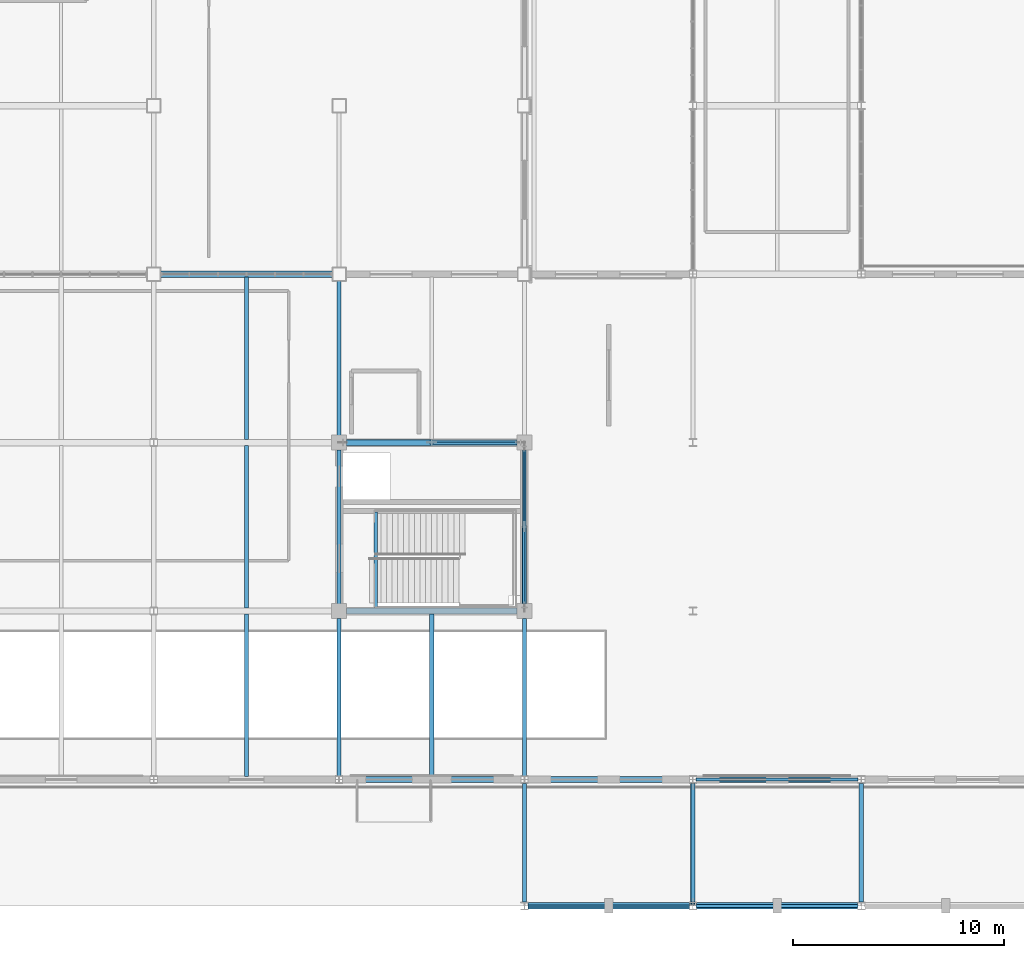
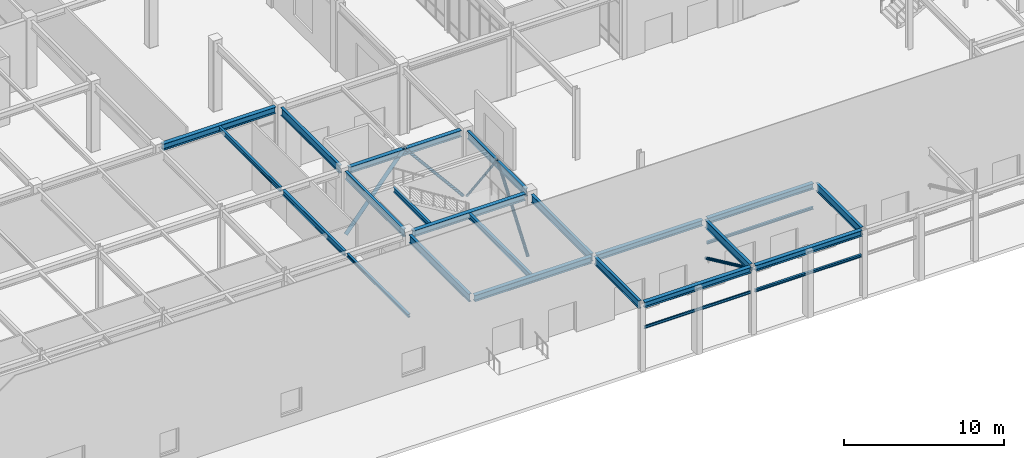
# One storey, part 23 of 119: 24 beams, 5 members.
"""IFC4 building model written with IfcOpenShell, lengths in metres."""

from ifc_helpers import new_model, si_unit, direction, frame, origin, origin_2d, place, context, subcontext, project, spatial, hollow_circle, i_section, extrude, material, material_profile, profile_set, type_object, element, save


model = new_model("IFC4")

# Units and contexts
model_context = context("Model", 3, precision=1e-05, world=origin(), true_north=direction((0.0, 1.0)))
body_context = subcontext(model_context, "Body", "Model", "MODEL_VIEW")
ifc_project = project(units=[si_unit("LENGTHUNIT", "METRE"), si_unit("AREAUNIT", "SQUARE_METRE"), si_unit("VOLUMEUNIT", "CUBIC_METRE"), si_unit("PLANEANGLEUNIT", "RADIAN"), si_unit("MASSUNIT", "GRAM", prefix="KILO")], contexts=[model_context])

# Site, building, storey
site_placement = place(None, origin())
site = spatial("IfcSite", under=ifc_project, at=site_placement, CompositionType="ELEMENT")
building_placement = place(site_placement, origin())
building = spatial("IfcBuilding", under=site, at=building_placement, Name="Zhaolan Boulevard Law Courts", CompositionType="ELEMENT")
storey_placement = place(building_placement, origin())
storey = spatial("IfcBuildingStorey", under=building, at=storey_placement, Name="L00", CompositionType="ELEMENT", Elevation=0.0)

# Members
ifc_material_1 = material(Name="Structural steel Q355B", Category="steel")
ifc_material_profile_1 = material_profile(ifc_material_1, hollow_circle(Radius=0.109619140625, WallThickness=0.008056640625, at=origin_2d()), Name="CHS219x8")
ifc_profile_set_1 = profile_set([ifc_material_profile_1], Name="Structural steel Q355B")
member_type_1 = type_object("IfcMemberType", Name="BRACE CHS219", PredefinedType="BRACE", material=ifc_profile_set_1)
member_1_placement = place(storey_placement, frame((52.0, 5.820068359375, 2.199951171875), z_axis=(0.0, -0.907066548999, 0.420987263094), x_axis=(1.0, 0.0, 0.0)))
element("IfcMember", 1, at=member_1_placement, inside=storey, type_object=member_type_1, Name="Canopy Raking Brace CT-7", PredefinedType="BRACE", context=body_context, shape_type="SweptSolid", body=[
    extrude(hollow_circle(Radius=0.109619140625, WallThickness=0.008056640625, at=origin_2d()), origin(), (0.0, 0.0, 1.0), 6.361083984375),
])
member_2_placement = place(storey_placement, frame((43.820068359375, 22.0, 0.030029296875), z_axis=(-0.638239277889, 0.0, 0.769838050605), x_axis=(0.0, -1.0, 0.0)))
element("IfcMember", 2, at=member_2_placement, inside=storey, type_object=member_type_1, Name="Core Brace BR-P1-L00-N2", PredefinedType="BRACE", context=body_context, shape_type="SweptSolid", body=[
    extrude(hollow_circle(Radius=0.109619140625, WallThickness=0.008056640625, at=origin_2d()), origin(), (0.0, 0.0, 1.0), 6.61181640625),
])
member_3_placement = place(storey_placement, frame((44.0, 14.179931640625, 0.030029296875), z_axis=(0.0, 0.600251625626, 0.799811218935), x_axis=(-1.0, 0.0, 0.0)))
element("IfcMember", 3, at=member_3_placement, inside=storey, type_object=member_type_1, Name="Core Brace BR-P1-L00-E1", PredefinedType="BRACE", context=body_context, shape_type="SweptSolid", body=[
    extrude(hollow_circle(Radius=0.109619140625, WallThickness=0.008056640625, at=origin_2d()), origin(), (0.0, 0.0, 1.0), 6.364013671875),
])
ifc_material_2 = material(Name="Structural steel Q355B", Category="steel")
ifc_material_profile_2 = material_profile(ifc_material_2, hollow_circle(Radius=0.136474609375, WallThickness=0.010009765625, at=origin_2d()), Name="CHS273x10")
ifc_profile_set_2 = profile_set([ifc_material_profile_2], Name="Structural steel Q355B")
member_type_2 = type_object("IfcMemberType", Name="BRACE CHS273", PredefinedType="BRACE", material=ifc_profile_set_2)
member_4_placement = place(storey_placement, frame((35.3798828125, 22.0, 0.030029296875), z_axis=(0.638261160419, 0.0, 0.769819908225), x_axis=(0.0, 1.0, 0.0)))
element("IfcMember", 4, at=member_4_placement, inside=storey, type_object=member_type_2, Name="Core Brace BR-P1-L00-N1", PredefinedType="BRACE", context=body_context, shape_type="SweptSolid", body=[
    extrude(hollow_circle(Radius=0.136474609375, WallThickness=0.010009765625, at=origin_2d()), origin(), (0.0, 0.0, 1.0), 6.612060546875),
])

# Beams
ifc_material_3 = material(Name="Structural steel Q390B", Category="steel")
ifc_material_profile_3 = material_profile(ifc_material_3, i_section(OverallWidth=0.199951171875, OverallDepth=0.60009765625, WebThickness=0.010986328125, FlangeThickness=0.01708984375, FilletRadius=0.02001953125, at=origin_2d()), Name="HN600x200")
ifc_profile_set_3 = profile_set([ifc_material_profile_3], Name="Structural steel Q390B")
beam_type_1 = type_object("IfcBeamType", Name="CANTILEVER HN600", PredefinedType="BEAM", material=ifc_profile_set_3)
for number, where, z_axis, x_axis, name in (
    (5, (44.0, 0.179931640625, 4.8779296875), (0.0, 1.0, 0.0), (-1.0, 0.0, 0.0), "Canopy Girder CB-6"),
    (6, (52.0, 0.179931640625, 4.8779296875), (0.0, 1.0, 0.0), (-1.0, 0.0, 0.0), "Canopy Girder CB-7"),
    (7, (60.0, 0.179931640625, 4.8779296875), (0.0, 1.0, 0.0), (-1.0, 0.0, 0.0), "Canopy Girder CB-8"),
):
    element("IfcBeam", number, at=place(storey_placement, frame(where, z_axis=z_axis, x_axis=x_axis)), inside=storey, type_object=beam_type_1, Name=name, PredefinedType="BEAM", context=body_context, shape_type="SweptSolid", body=[
        extrude(i_section(OverallWidth=0.199951171875, OverallDepth=0.60009765625, WebThickness=0.010986328125, FlangeThickness=0.01708984375, FilletRadius=0.02001953125, at=origin_2d()), origin(), (0.0, 0.0, 1.0), 5.64013671875),
    ])
ifc_material_4 = material(Name="Structural steel Q355B", Category="steel")
ifc_material_profile_4 = material_profile(ifc_material_4, i_section(OverallWidth=0.300048828125, OverallDepth=0.43994140625, WebThickness=0.010986328125, FlangeThickness=0.01806640625, FilletRadius=0.02001953125, at=origin_2d()), Name="HM440x300")
ifc_profile_set_4 = profile_set([ifc_material_profile_4], Name="Structural steel Q355B")
beam_type_2 = type_object("IfcBeamType", Name="GIRDER HM440", PredefinedType="BEAM", material=ifc_profile_set_4)
for number, where, z_axis, x_axis, name in (
    (8, (44.1708984375, 0.0, 4.9580078125), (1.0, 0.0, 0.0), (0.0, 1.0, 0.0), "Beam BX-L01-6-7-A"),
    (9, (52.1708984375, 0.0, 4.9580078125), (1.0, 0.0, 0.0), (0.0, 1.0, 0.0), "Beam BX-L01-7-8-A"),
    (10, (44.1708984375, 6.0, 4.91796875), (1.0, 0.0, 0.0), (0.0, 1.0, 0.0), "Beam BX-L01-6-7-B"),
    (11, (52.1708984375, 6.0, 4.91796875), (1.0, 0.0, 0.0), (0.0, 1.0, 0.0), "Beam BX-L01-7-8-B"),
):
    element("IfcBeam", number, at=place(storey_placement, frame(where, z_axis=z_axis, x_axis=x_axis)), inside=storey, type_object=beam_type_2, Name=name, PredefinedType="BEAM", context=body_context, shape_type="SweptSolid", body=[
        extrude(i_section(OverallWidth=0.300048828125, OverallDepth=0.43994140625, WebThickness=0.010986328125, FlangeThickness=0.01806640625, FilletRadius=0.02001953125, at=origin_2d()), origin(), (0.0, 0.0, 1.0), 7.658203125),
    ])
ifc_material_5 = material(Name="Structural steel Q355B", Category="steel")
ifc_material_profile_5 = material_profile(ifc_material_5, i_section(OverallWidth=0.300048828125, OverallDepth=0.488037109375, WebThickness=0.010986328125, FlangeThickness=0.01806640625, FilletRadius=0.02197265625, at=origin_2d()), Name="HM488x300")
ifc_profile_set_5 = profile_set([ifc_material_profile_5], Name="Structural steel Q355B")
beam_type_3 = type_object("IfcBeamType", Name="GIRDER HM500", PredefinedType="BEAM", material=ifc_profile_set_5)
beam_1_placement = place(storey_placement, frame((35.37109375, 6.0, 4.89404296875), z_axis=(1.0, 0.0, 0.0), x_axis=(0.0, 1.0, 0.0)))
element("IfcBeam", 12, at=beam_1_placement, inside=storey, type_object=beam_type_3, Name="Beam BX-L01-5-6-B", PredefinedType="BEAM", context=body_context, shape_type="SweptSolid", body=[
    extrude(i_section(OverallWidth=0.300048828125, OverallDepth=0.488037109375, WebThickness=0.010986328125, FlangeThickness=0.01806640625, FilletRadius=0.02197265625, at=origin_2d()), origin(), (0.0, 0.0, 1.0), 8.4580078125),
])
for number, where, z_axis, x_axis, name in (
    (13, (35.5458984375, 14.0, 4.89404296875), (1.0, 0.0, 0.0), (0.0, 1.0, 0.0), "Beam BX-L01-5-6-C"),
    (14, (35.5458984375, 22.0, 4.89404296875), (1.0, 0.0, 0.0), (0.0, 1.0, 0.0), "Beam BX-L01-5-6-D"),
):
    element("IfcBeam", number, at=place(storey_placement, frame(where, z_axis=z_axis, x_axis=x_axis)), inside=storey, type_object=beam_type_3, Name=name, PredefinedType="BEAM", context=body_context, shape_type="SweptSolid", body=[
        extrude(i_section(OverallWidth=0.300048828125, OverallDepth=0.488037109375, WebThickness=0.010986328125, FlangeThickness=0.01806640625, FilletRadius=0.02197265625, at=origin_2d()), origin(), (0.0, 0.0, 1.0), 8.108154296875),
    ])
beam_2_placement = place(storey_placement, frame((26.720947265625, 30.0, 4.89404296875), z_axis=(1.0, 0.0, 0.0), x_axis=(0.0, 1.0, 0.0)))
element("IfcBeam", 15, at=beam_2_placement, inside=storey, type_object=beam_type_3, Name="Beam BX-L01-4-5-E", PredefinedType="BEAM", context=body_context, shape_type="SweptSolid", body=[
    extrude(i_section(OverallWidth=0.300048828125, OverallDepth=0.488037109375, WebThickness=0.010986328125, FlangeThickness=0.01806640625, FilletRadius=0.02197265625, at=origin_2d()), origin(), (0.0, 0.0, 1.0), 8.157958984375),
])
ifc_material_6 = material(Name="Structural steel Q355B", Category="steel")
ifc_material_profile_6 = material_profile(ifc_material_6, i_section(OverallWidth=0.199951171875, OverallDepth=0.60009765625, WebThickness=0.010986328125, FlangeThickness=0.01708984375, FilletRadius=0.02001953125, at=origin_2d()), Name="HN600x200")
ifc_profile_set_6 = profile_set([ifc_material_profile_6], Name="Structural steel Q355B")
beam_type_4 = type_object("IfcBeamType", Name="GIRDER HN600", PredefinedType="BEAM", material=ifc_profile_set_6)
beam_3_placement = place(storey_placement, frame((35.199951171875, 6.1708984375, 4.837890625), z_axis=(0.0, 1.0, 0.0), x_axis=(-1.0, 0.0, 0.0)))
element("IfcBeam", 16, at=beam_3_placement, inside=storey, type_object=beam_type_4, Name="Beam BY-L01-5-B-C", PredefinedType="BEAM", context=body_context, shape_type="SweptSolid", body=[
    extrude(i_section(OverallWidth=0.199951171875, OverallDepth=0.60009765625, WebThickness=0.010986328125, FlangeThickness=0.01708984375, FilletRadius=0.02001953125, at=origin_2d()), origin(), (0.0, 0.0, 1.0), 7.483154296875),
])
beam_4_placement = place(storey_placement, frame((35.199951171875, 14.345947265625, 4.837890625), z_axis=(0.0, 1.0, 0.0), x_axis=(-1.0, 0.0, 0.0)))
element("IfcBeam", 17, at=beam_4_placement, inside=storey, type_object=beam_type_4, Name="Beam BY-L01-5-C-D", PredefinedType="BEAM", context=body_context, shape_type="SweptSolid", body=[
    extrude(i_section(OverallWidth=0.199951171875, OverallDepth=0.60009765625, WebThickness=0.010986328125, FlangeThickness=0.01708984375, FilletRadius=0.02001953125, at=origin_2d()), origin(), (0.0, 0.0, 1.0), 7.30810546875),
])
beam_5_placement = place(storey_placement, frame((35.199951171875, 22.345947265625, 4.837890625), z_axis=(0.0, 1.0, 0.0), x_axis=(-1.0, 0.0, 0.0)))
element("IfcBeam", 18, at=beam_5_placement, inside=storey, type_object=beam_type_4, Name="Beam BY-L01-5-D-E", PredefinedType="BEAM", context=body_context, shape_type="SweptSolid", body=[
    extrude(i_section(OverallWidth=0.199951171875, OverallDepth=0.60009765625, WebThickness=0.010986328125, FlangeThickness=0.01708984375, FilletRadius=0.02001953125, at=origin_2d()), origin(), (0.0, 0.0, 1.0), 7.3330078125),
])
beam_6_placement = place(storey_placement, frame((44.0, 6.1708984375, 4.837890625), z_axis=(0.0, 1.0, 0.0), x_axis=(-1.0, 0.0, 0.0)))
element("IfcBeam", 19, at=beam_6_placement, inside=storey, type_object=beam_type_4, Name="Beam BY-L01-6-B-C", PredefinedType="BEAM", context=body_context, shape_type="SweptSolid", body=[
    extrude(i_section(OverallWidth=0.199951171875, OverallDepth=0.60009765625, WebThickness=0.010986328125, FlangeThickness=0.01708984375, FilletRadius=0.02001953125, at=origin_2d()), origin(), (0.0, 0.0, 1.0), 7.483154296875),
])
beam_7_placement = place(storey_placement, frame((44.0, 14.345947265625, 4.837890625), z_axis=(0.0, 1.0, 0.0), x_axis=(-1.0, 0.0, 0.0)))
element("IfcBeam", 20, at=beam_7_placement, inside=storey, type_object=beam_type_4, Name="Beam BY-L01-6-C-D", PredefinedType="BEAM", context=body_context, shape_type="SweptSolid", body=[
    extrude(i_section(OverallWidth=0.199951171875, OverallDepth=0.60009765625, WebThickness=0.010986328125, FlangeThickness=0.01708984375, FilletRadius=0.02001953125, at=origin_2d()), origin(), (0.0, 0.0, 1.0), 7.30810546875),
])
ifc_material_7 = material(Name="Structural steel Q355B", Category="steel")
ifc_material_profile_7 = material_profile(ifc_material_7, i_section(OverallWidth=0.175048828125, OverallDepth=0.243896484375, WebThickness=0.007080078125, FlangeThickness=0.010986328125, FilletRadius=0.012939453125, at=origin_2d()), Name="HM244x175")
ifc_profile_set_7 = profile_set([ifc_material_profile_7], Name="Structural steel Q355B")
beam_type_5 = type_object("IfcBeamType", Name="JOIST HM244", PredefinedType="JOIST", material=ifc_profile_set_7)
beam_8_placement = place(storey_placement, frame((30.800048828125, 6.14599609375, 5.01611328125), z_axis=(0.0, 1.0, 0.0), x_axis=(-1.0, 0.0, 0.0)))
element("IfcBeam", 21, at=beam_8_placement, inside=storey, type_object=beam_type_5, Name="Composite Joist J-L01-4B", PredefinedType="JOIST", context=body_context, shape_type="SweptSolid", body=[
    extrude(i_section(OverallWidth=0.175048828125, OverallDepth=0.243896484375, WebThickness=0.007080078125, FlangeThickness=0.010986328125, FilletRadius=0.012939453125, at=origin_2d()), origin(), (0.0, 0.0, 1.0), 7.7080078125),
])
ifc_material_8 = material(Name="Structural steel Q355B", Category="steel")
ifc_material_profile_8 = material_profile(ifc_material_8, i_section(OverallWidth=0.175048828125, OverallDepth=0.35009765625, WebThickness=0.007080078125, FlangeThickness=0.010986328125, FilletRadius=0.012939453125, at=origin_2d()), Name="HN350x175")
ifc_profile_set_8 = profile_set([ifc_material_profile_8], Name="Structural steel Q355B")
beam_type_6 = type_object("IfcBeamType", Name="JOIST HN350", PredefinedType="JOIST", material=ifc_profile_set_8)
beam_9_placement = place(storey_placement, frame((30.800048828125, 22.14599609375, 4.962890625), z_axis=(0.0, 1.0, 0.0), x_axis=(-1.0, 0.0, 0.0)))
element("IfcBeam", 22, at=beam_9_placement, inside=storey, type_object=beam_type_6, Name="Composite Joist J-L01-4D", PredefinedType="JOIST", context=body_context, shape_type="SweptSolid", body=[
    extrude(i_section(OverallWidth=0.175048828125, OverallDepth=0.35009765625, WebThickness=0.007080078125, FlangeThickness=0.010986328125, FilletRadius=0.012939453125, at=origin_2d()), origin(), (0.0, 0.0, 1.0), 7.7080078125),
])
ifc_material_9 = material(Name="Structural steel Q355B", Category="steel")
ifc_material_profile_9 = material_profile(ifc_material_9, i_section(OverallWidth=0.199951171875, OverallDepth=0.39990234375, WebThickness=0.008056640625, FlangeThickness=0.012939453125, FilletRadius=0.013916015625, at=origin_2d()), Name="HN400x200")
ifc_profile_set_9 = profile_set([ifc_material_profile_9], Name="Structural steel Q355B")
beam_type_7 = type_object("IfcBeamType", Name="JOIST HN400", PredefinedType="JOIST", material=ifc_profile_set_9)
for number, where, z_axis, x_axis, name in (
    (23, (30.800048828125, 14.14599609375, 4.93798828125), (0.0, 1.0, 0.0), (-1.0, 0.0, 0.0), "Composite Joist J-L01-4C"),
    (24, (39.60009765625, 6.14599609375, 4.93798828125), (0.0, 1.0, 0.0), (-1.0, 0.0, 0.0), "Composite Joist J-L01-5B"),
):
    element("IfcBeam", number, at=place(storey_placement, frame(where, z_axis=z_axis, x_axis=x_axis)), inside=storey, type_object=beam_type_7, Name=name, PredefinedType="JOIST", context=body_context, shape_type="SweptSolid", body=[
        extrude(i_section(OverallWidth=0.199951171875, OverallDepth=0.39990234375, WebThickness=0.008056640625, FlangeThickness=0.012939453125, FilletRadius=0.013916015625, at=origin_2d()), origin(), (0.0, 0.0, 1.0), 7.7080078125),
    ])
ifc_material_10 = material(Name="Structural steel Q355B", Category="steel")
ifc_material_profile_10 = material_profile(ifc_material_10, i_section(OverallWidth=0.14990234375, OverallDepth=0.194091796875, WebThickness=0.006103515625, FlangeThickness=0.009033203125, FilletRadius=0.010986328125, at=origin_2d()), Name="HM194x150")
ifc_profile_set_10 = profile_set([ifc_material_profile_10], Name="Structural steel Q355B")
beam_type_8 = type_object("IfcBeamType", Name="LINTEL HM194", PredefinedType="LINTEL", material=ifc_profile_set_10)
for number, where, z_axis, x_axis, name in (
    (25, (52.159912109375, 0.0, 3.199951171875), (1.0, 0.0, 0.0), (0.0, 1.0, 0.0), "Portal Lintel LN-L00-02"),
    (26, (52.159912109375, 6.0, 3.199951171875), (1.0, 0.0, 0.0), (0.0, 1.0, 0.0), "Portal Lintel LN-L00-08"),
):
    element("IfcBeam", number, at=place(storey_placement, frame(where, z_axis=z_axis, x_axis=x_axis)), inside=storey, type_object=beam_type_8, Name=name, PredefinedType="LINTEL", context=body_context, shape_type="SweptSolid", body=[
        extrude(i_section(OverallWidth=0.14990234375, OverallDepth=0.194091796875, WebThickness=0.006103515625, FlangeThickness=0.009033203125, FilletRadius=0.010986328125, at=origin_2d()), origin(), (0.0, 0.0, 1.0), 7.68017578125),
    ])
ifc_material_11 = material(Name="Structural steel Q355B", Category="steel")
ifc_material_profile_11 = material_profile(ifc_material_11, i_section(OverallWidth=0.10009765625, OverallDepth=0.199951171875, WebThickness=0.005615234375, FlangeThickness=0.008056640625, FilletRadius=0.009033203125, at=origin_2d()), Name="HN200x100")
ifc_profile_set_11 = profile_set([ifc_material_profile_11], Name="Structural steel Q355B")
beam_type_9 = type_object("IfcBeamType", Name="LINTEL HN200", PredefinedType="LINTEL", material=ifc_profile_set_11)
beam_10_placement = place(storey_placement, frame((44.159912109375, 0.0, 3.199951171875), z_axis=(1.0, 0.0, 0.0), x_axis=(0.0, 1.0, 0.0)))
element("IfcBeam", 27, at=beam_10_placement, inside=storey, type_object=beam_type_9, Name="Portal Lintel LN-L00-01", PredefinedType="LINTEL", context=body_context, shape_type="SweptSolid", body=[
    extrude(i_section(OverallWidth=0.10009765625, OverallDepth=0.199951171875, WebThickness=0.005615234375, FlangeThickness=0.008056640625, FilletRadius=0.009033203125, at=origin_2d()), origin(), (0.0, 0.0, 1.0), 7.68017578125),
])
ifc_material_12 = material(Name="Structural steel Q355B", Category="steel")
ifc_material_profile_12 = material_profile(ifc_material_12, i_section(OverallWidth=0.175048828125, OverallDepth=0.35009765625, WebThickness=0.007080078125, FlangeThickness=0.010986328125, FilletRadius=0.012939453125, at=origin_2d()), Name="HN350x175")
ifc_profile_set_12 = profile_set([ifc_material_profile_12], Name="Structural steel Q355B")
beam_type_10 = type_object("IfcBeamType", Name="STAIR TRIMMER HN350", PredefinedType="BEAM", material=ifc_profile_set_12)
beam_11_placement = place(storey_placement, frame((36.93505859375, 14.1650390625, 4.93505859375), z_axis=(0.0, 1.0, 0.0), x_axis=(-1.0, 0.0, 0.0)))
element("IfcBeam", 28, at=beam_11_placement, inside=storey, type_object=beam_type_10, Name="Stair Landing Trimmer Beam STB-ST04-L01", PredefinedType="BEAM", context=body_context, shape_type="SweptSolid", body=[
    extrude(i_section(OverallWidth=0.175048828125, OverallDepth=0.35009765625, WebThickness=0.007080078125, FlangeThickness=0.010986328125, FilletRadius=0.012939453125, at=origin_2d()), origin(), (0.0, 0.0, 1.0), 4.544921875),
])

# Member
ifc_material_13 = material(Name="Structural steel Q355B", Category="steel")
ifc_material_profile_13 = material_profile(ifc_material_13, hollow_circle(Radius=0.083984375, WallThickness=0.008056640625, at=origin_2d()), Name="CHS168x8")
ifc_profile_set_13 = profile_set([ifc_material_profile_13], Name="Structural steel Q355B")
member_type_3 = type_object("IfcMemberType", Name="STRUT CHS168", PredefinedType="BRACE", material=ifc_profile_set_13)
member_5_placement = place(storey_placement, frame((44.0, 21.820068359375, 0.030029296875), z_axis=(0.0, -0.600251625626, 0.799811218935), x_axis=(1.0, 0.0, 0.0)))
element("IfcMember", 29, at=member_5_placement, inside=storey, type_object=member_type_3, Name="Core Brace BR-P1-L00-E2", PredefinedType="BRACE", context=body_context, shape_type="SweptSolid", body=[
    extrude(hollow_circle(Radius=0.083984375, WallThickness=0.008056640625, at=origin_2d()), origin(), (0.0, 0.0, 1.0), 6.364013671875),
])

save(model, "model.ifc")
